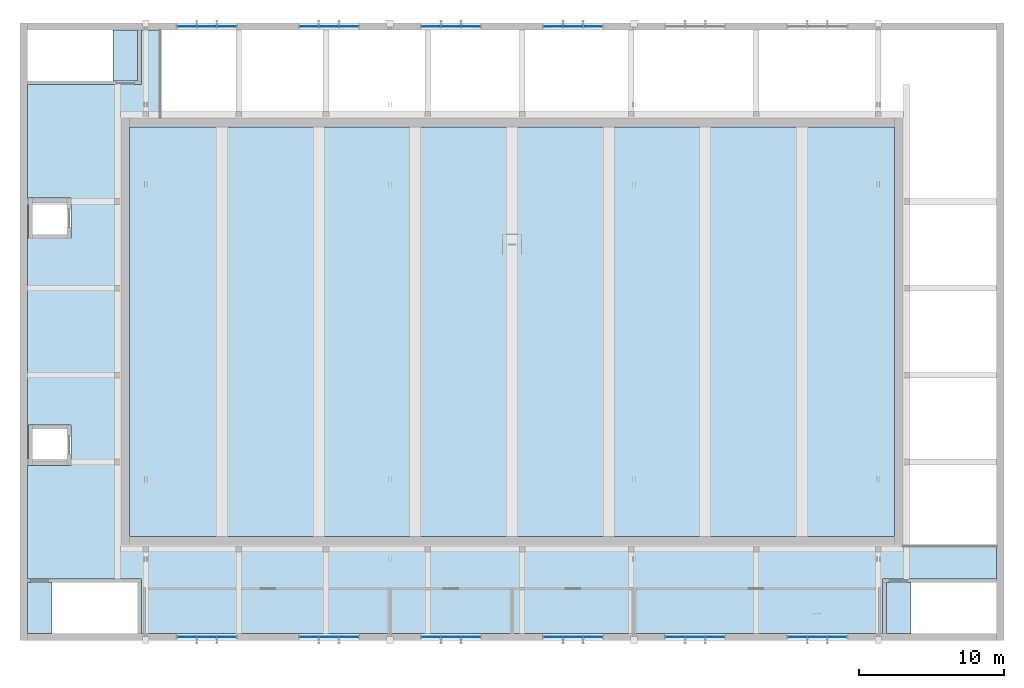
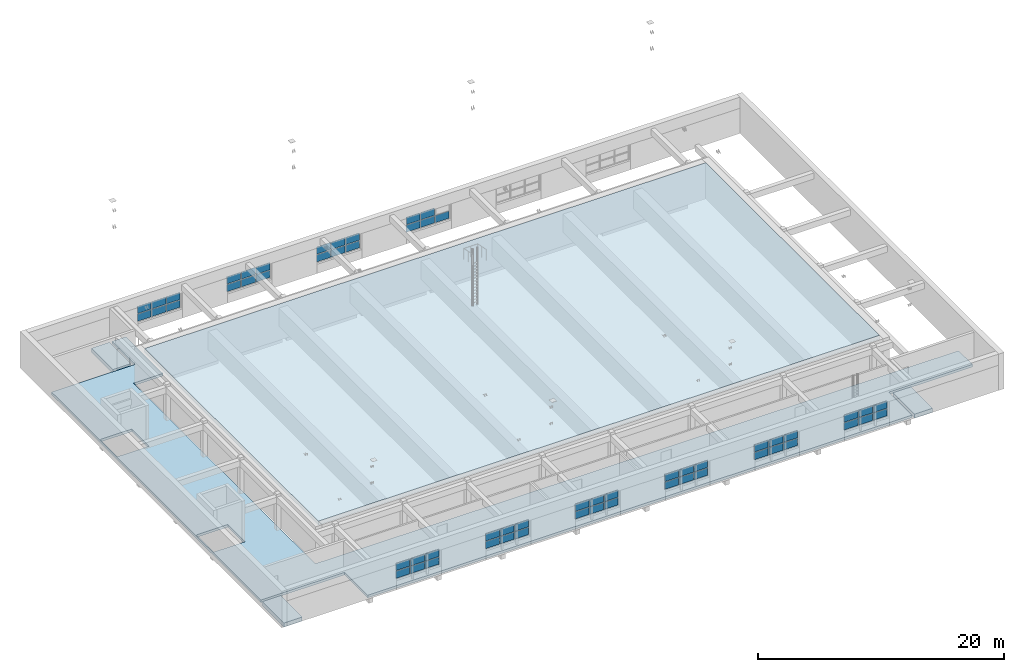
# One storey, part 9 of 28: 59 plates, 5 slabs, 10 elements without a shape of their own.
"""IFC4 building model written with IfcOpenShell, lengths in metres."""

from ifc_helpers import new_model, si_unit, direction, frame, origin, origin_2d, place, context, subcontext, project, spatial, polyline, rectangle, outline, extrude, material, layer, layer_set, type_object, element, aggregate, save


model = new_model("IFC4")

# Units and contexts
model_context = context("Model", 3, precision=1e-05, world=origin(), true_north=direction((0.0, 1.0)))
body_context = subcontext(model_context, "Body", "Model", "MODEL_VIEW")
ifc_project = project(units=[si_unit("LENGTHUNIT", "METRE"), si_unit("AREAUNIT", "SQUARE_METRE"), si_unit("VOLUMEUNIT", "CUBIC_METRE"), si_unit("PLANEANGLEUNIT", "RADIAN"), si_unit("MASSUNIT", "GRAM", prefix="KILO")], contexts=[model_context])

# Site, building, storey
site_placement = place(None, origin())
site = spatial("IfcSite", under=ifc_project, at=site_placement, CompositionType="ELEMENT")
building_placement = place(site_placement, origin())
building = spatial("IfcBuilding", under=site, at=building_placement, Name="Ljudholm Concert House", CompositionType="ELEMENT")
storey_placement = place(building_placement, frame((0.0, 0.0, 19.199951171875)))
storey = spatial("IfcBuildingStorey", under=building, at=storey_placement, Name="L04", CompositionType="ELEMENT", Elevation=19.199951171875)

# Curtain wall, plates
ifc_material_1 = material(Name="Aluminium curtain wall with impact-rated laminated glass", Category="aluminium")
curtain_wall_type = type_object("IfcCurtainWallType", Name="CURTAIN WALL 1400", PredefinedType="NOTDEFINED", material=ifc_material_1)
curtain_wall_1_placement = place(storey_placement, origin())
curtain_wall_1 = element("IfcCurtainWall", 1, at=curtain_wall_1_placement, inside=storey, type_object=curtain_wall_type, Name="Promenade curtain wall", PredefinedType="NOTDEFINED")
ifc_material_2 = material(Name="Impact-rated laminated glass", Category="glass")
ifc_layer_1 = layer(ifc_material_2, 0.028076171875)
ifc_layer_set_1 = layer_set([ifc_layer_1], Name="Impact-rated laminated glass")
plate_type = type_object("IfcPlateType", Name="CURTAIN PANEL 28", PredefinedType="CURTAIN_PANEL", material=ifc_layer_set_1)
plate_1_placement = place(storey_placement, frame((40.43505859375, 54.39990234375, 0.9599609375), z_axis=(0.0, 0.0, 1.0), x_axis=(1.0, 0.0, 0.0)))
plate_1 = element("IfcPlate", 2, at=plate_1_placement, type_object=plate_type, Name="Curtain wall panel", PredefinedType="CURTAIN_PANEL", context=body_context, shape_type="SweptSolid", body=[
    extrude(rectangle(XDim=1.2900390625, YDim=0.028076171875, at=origin_2d()), origin(), (0.0, 0.0, 1.0), 0.7099609375),
])
plate_2_placement = place(storey_placement, frame((40.43505859375, 54.39990234375, 1.72998046875), z_axis=(0.0, 0.0, 1.0), x_axis=(1.0, 0.0, 0.0)))
plate_2 = element("IfcPlate", 3, at=plate_2_placement, type_object=plate_type, Name="Curtain wall panel", PredefinedType="CURTAIN_PANEL", context=body_context, shape_type="SweptSolid", body=[
    extrude(rectangle(XDim=1.2900390625, YDim=0.028076171875, at=origin_2d()), origin(), (0.0, 0.0, 1.0), 0.7099609375),
])
plate_3_placement = place(storey_placement, frame((41.800048828125, 54.39990234375, 0.9599609375), z_axis=(0.0, 0.0, 1.0), x_axis=(1.0, 0.0, 0.0)))
plate_3 = element("IfcPlate", 4, at=plate_3_placement, type_object=plate_type, Name="Curtain wall panel", PredefinedType="CURTAIN_PANEL", context=body_context, shape_type="SweptSolid", body=[
    extrude(rectangle(XDim=1.320068359375, YDim=0.028076171875, at=origin_2d()), origin(), (0.0, 0.0, 1.0), 0.7099609375),
])
plate_4_placement = place(storey_placement, frame((41.800048828125, 54.39990234375, 1.72998046875), z_axis=(0.0, 0.0, 1.0), x_axis=(1.0, 0.0, 0.0)))
plate_4 = element("IfcPlate", 5, at=plate_4_placement, type_object=plate_type, Name="Curtain wall panel", PredefinedType="CURTAIN_PANEL", context=body_context, shape_type="SweptSolid", body=[
    extrude(rectangle(XDim=1.320068359375, YDim=0.028076171875, at=origin_2d()), origin(), (0.0, 0.0, 1.0), 0.7099609375),
])
plate_5_placement = place(storey_placement, frame((43.1650390625, 54.39990234375, 0.9599609375), z_axis=(0.0, 0.0, 1.0), x_axis=(1.0, 0.0, 0.0)))
plate_5 = element("IfcPlate", 6, at=plate_5_placement, type_object=plate_type, Name="Curtain wall panel", PredefinedType="CURTAIN_PANEL", context=body_context, shape_type="SweptSolid", body=[
    extrude(rectangle(XDim=1.2900390625, YDim=0.028076171875, at=origin_2d()), origin(), (0.0, 0.0, 1.0), 0.7099609375),
])
plate_6_placement = place(storey_placement, frame((43.1650390625, 54.39990234375, 1.72998046875), z_axis=(0.0, 0.0, 1.0), x_axis=(1.0, 0.0, 0.0)))
plate_6 = element("IfcPlate", 7, at=plate_6_placement, type_object=plate_type, Name="Curtain wall panel", PredefinedType="CURTAIN_PANEL", context=body_context, shape_type="SweptSolid", body=[
    extrude(rectangle(XDim=1.2900390625, YDim=0.028076171875, at=origin_2d()), origin(), (0.0, 0.0, 1.0), 0.7099609375),
])
aggregate(curtain_wall_1, [plate_1, plate_2, plate_3, plate_4, plate_5, plate_6])

curtain_wall_2_placement = place(storey_placement, origin())
curtain_wall_2 = element("IfcCurtainWall", 8, at=curtain_wall_2_placement, inside=storey, type_object=curtain_wall_type, Name="Promenade curtain wall", PredefinedType="NOTDEFINED")
plate_7_placement = place(storey_placement, frame((48.8349609375, 54.39990234375, 0.9599609375), z_axis=(0.0, 0.0, 1.0), x_axis=(1.0, 0.0, 0.0)))
plate_7 = element("IfcPlate", 9, at=plate_7_placement, type_object=plate_type, Name="Curtain wall panel", PredefinedType="CURTAIN_PANEL", context=body_context, shape_type="SweptSolid", body=[
    extrude(rectangle(XDim=1.2900390625, YDim=0.028076171875, at=origin_2d()), origin(), (0.0, 0.0, 1.0), 0.7099609375),
])
plate_8_placement = place(storey_placement, frame((48.8349609375, 54.39990234375, 1.72998046875), z_axis=(0.0, 0.0, 1.0), x_axis=(1.0, 0.0, 0.0)))
plate_8 = element("IfcPlate", 10, at=plate_8_placement, type_object=plate_type, Name="Curtain wall panel", PredefinedType="CURTAIN_PANEL", context=body_context, shape_type="SweptSolid", body=[
    extrude(rectangle(XDim=1.2900390625, YDim=0.028076171875, at=origin_2d()), origin(), (0.0, 0.0, 1.0), 0.7099609375),
])
plate_9_placement = place(storey_placement, frame((50.199951171875, 54.39990234375, 0.9599609375), z_axis=(0.0, 0.0, 1.0), x_axis=(1.0, 0.0, 0.0)))
plate_9 = element("IfcPlate", 11, at=plate_9_placement, type_object=plate_type, Name="Curtain wall panel", PredefinedType="CURTAIN_PANEL", context=body_context, shape_type="SweptSolid", body=[
    extrude(rectangle(XDim=1.320068359375, YDim=0.028076171875, at=origin_2d()), origin(), (0.0, 0.0, 1.0), 0.7099609375),
])
plate_10_placement = place(storey_placement, frame((50.199951171875, 54.39990234375, 1.72998046875), z_axis=(0.0, 0.0, 1.0), x_axis=(1.0, 0.0, 0.0)))
plate_10 = element("IfcPlate", 12, at=plate_10_placement, type_object=plate_type, Name="Curtain wall panel", PredefinedType="CURTAIN_PANEL", context=body_context, shape_type="SweptSolid", body=[
    extrude(rectangle(XDim=1.320068359375, YDim=0.028076171875, at=origin_2d()), origin(), (0.0, 0.0, 1.0), 0.7099609375),
])
plate_11_placement = place(storey_placement, frame((51.56494140625, 54.39990234375, 0.9599609375), z_axis=(0.0, 0.0, 1.0), x_axis=(1.0, 0.0, 0.0)))
plate_11 = element("IfcPlate", 13, at=plate_11_placement, type_object=plate_type, Name="Curtain wall panel", PredefinedType="CURTAIN_PANEL", context=body_context, shape_type="SweptSolid", body=[
    extrude(rectangle(XDim=1.2900390625, YDim=0.028076171875, at=origin_2d()), origin(), (0.0, 0.0, 1.0), 0.7099609375),
])
plate_12_placement = place(storey_placement, frame((51.56494140625, 54.39990234375, 1.72998046875), z_axis=(0.0, 0.0, 1.0), x_axis=(1.0, 0.0, 0.0)))
plate_12 = element("IfcPlate", 14, at=plate_12_placement, type_object=plate_type, Name="Curtain wall panel", PredefinedType="CURTAIN_PANEL", context=body_context, shape_type="SweptSolid", body=[
    extrude(rectangle(XDim=1.2900390625, YDim=0.028076171875, at=origin_2d()), origin(), (0.0, 0.0, 1.0), 0.7099609375),
])
aggregate(curtain_wall_2, [plate_7, plate_8, plate_9, plate_10, plate_11, plate_12])

curtain_wall_3_placement = place(storey_placement, origin())
curtain_wall_3 = element("IfcCurtainWall", 15, at=curtain_wall_3_placement, inside=storey, type_object=curtain_wall_type, Name="Promenade curtain wall", PredefinedType="NOTDEFINED")
plate_13_placement = place(storey_placement, frame((57.235107421875, 54.39990234375, 0.9599609375), z_axis=(0.0, 0.0, 1.0), x_axis=(1.0, 0.0, 0.0)))
plate_13 = element("IfcPlate", 16, at=plate_13_placement, type_object=plate_type, Name="Curtain wall panel", PredefinedType="CURTAIN_PANEL", context=body_context, shape_type="SweptSolid", body=[
    extrude(rectangle(XDim=1.2900390625, YDim=0.028076171875, at=origin_2d()), origin(), (0.0, 0.0, 1.0), 0.7099609375),
])
plate_14_placement = place(storey_placement, frame((57.235107421875, 54.39990234375, 1.72998046875), z_axis=(0.0, 0.0, 1.0), x_axis=(1.0, 0.0, 0.0)))
plate_14 = element("IfcPlate", 17, at=plate_14_placement, type_object=plate_type, Name="Curtain wall panel", PredefinedType="CURTAIN_PANEL", context=body_context, shape_type="SweptSolid", body=[
    extrude(rectangle(XDim=1.2900390625, YDim=0.028076171875, at=origin_2d()), origin(), (0.0, 0.0, 1.0), 0.7099609375),
])
plate_15_placement = place(storey_placement, frame((58.60009765625, 54.39990234375, 0.9599609375), z_axis=(0.0, 0.0, 1.0), x_axis=(1.0, 0.0, 0.0)))
plate_15 = element("IfcPlate", 18, at=plate_15_placement, type_object=plate_type, Name="Curtain wall panel", PredefinedType="CURTAIN_PANEL", context=body_context, shape_type="SweptSolid", body=[
    extrude(rectangle(XDim=1.320068359375, YDim=0.028076171875, at=origin_2d()), origin(), (0.0, 0.0, 1.0), 0.7099609375),
])
plate_16_placement = place(storey_placement, frame((58.60009765625, 54.39990234375, 1.72998046875), z_axis=(0.0, 0.0, 1.0), x_axis=(1.0, 0.0, 0.0)))
plate_16 = element("IfcPlate", 19, at=plate_16_placement, type_object=plate_type, Name="Curtain wall panel", PredefinedType="CURTAIN_PANEL", context=body_context, shape_type="SweptSolid", body=[
    extrude(rectangle(XDim=1.320068359375, YDim=0.028076171875, at=origin_2d()), origin(), (0.0, 0.0, 1.0), 0.7099609375),
])
plate_17_placement = place(storey_placement, frame((59.965087890625, 54.39990234375, 0.9599609375), z_axis=(0.0, 0.0, 1.0), x_axis=(1.0, 0.0, 0.0)))
plate_17 = element("IfcPlate", 20, at=plate_17_placement, type_object=plate_type, Name="Curtain wall panel", PredefinedType="CURTAIN_PANEL", context=body_context, shape_type="SweptSolid", body=[
    extrude(rectangle(XDim=1.2900390625, YDim=0.028076171875, at=origin_2d()), origin(), (0.0, 0.0, 1.0), 0.7099609375),
])
plate_18_placement = place(storey_placement, frame((59.965087890625, 54.39990234375, 1.72998046875), z_axis=(0.0, 0.0, 1.0), x_axis=(1.0, 0.0, 0.0)))
plate_18 = element("IfcPlate", 21, at=plate_18_placement, type_object=plate_type, Name="Curtain wall panel", PredefinedType="CURTAIN_PANEL", context=body_context, shape_type="SweptSolid", body=[
    extrude(rectangle(XDim=1.2900390625, YDim=0.028076171875, at=origin_2d()), origin(), (0.0, 0.0, 1.0), 0.7099609375),
])
aggregate(curtain_wall_3, [plate_13, plate_14, plate_15, plate_16, plate_17, plate_18])

curtain_wall_4_placement = place(storey_placement, origin())
curtain_wall_4 = element("IfcCurtainWall", 22, at=curtain_wall_4_placement, inside=storey, type_object=curtain_wall_type, Name="Promenade curtain wall", PredefinedType="NOTDEFINED")
plate_19_placement = place(storey_placement, frame((65.635009765625, 54.39990234375, 0.9599609375), z_axis=(0.0, 0.0, 1.0), x_axis=(1.0, 0.0, 0.0)))
plate_19 = element("IfcPlate", 23, at=plate_19_placement, type_object=plate_type, Name="Curtain wall panel", PredefinedType="CURTAIN_PANEL", context=body_context, shape_type="SweptSolid", body=[
    extrude(rectangle(XDim=1.2900390625, YDim=0.028076171875, at=origin_2d()), origin(), (0.0, 0.0, 1.0), 0.7099609375),
])
plate_20_placement = place(storey_placement, frame((65.635009765625, 54.39990234375, 1.72998046875), z_axis=(0.0, 0.0, 1.0), x_axis=(1.0, 0.0, 0.0)))
plate_20 = element("IfcPlate", 24, at=plate_20_placement, type_object=plate_type, Name="Curtain wall panel", PredefinedType="CURTAIN_PANEL", context=body_context, shape_type="SweptSolid", body=[
    extrude(rectangle(XDim=1.2900390625, YDim=0.028076171875, at=origin_2d()), origin(), (0.0, 0.0, 1.0), 0.7099609375),
])
plate_21_placement = place(storey_placement, frame((67.0, 54.39990234375, 0.9599609375), z_axis=(0.0, 0.0, 1.0), x_axis=(1.0, 0.0, 0.0)))
plate_21 = element("IfcPlate", 25, at=plate_21_placement, type_object=plate_type, Name="Curtain wall panel", PredefinedType="CURTAIN_PANEL", context=body_context, shape_type="SweptSolid", body=[
    extrude(rectangle(XDim=1.320068359375, YDim=0.028076171875, at=origin_2d()), origin(), (0.0, 0.0, 1.0), 0.7099609375),
])
plate_22_placement = place(storey_placement, frame((67.0, 54.39990234375, 1.72998046875), z_axis=(0.0, 0.0, 1.0), x_axis=(1.0, 0.0, 0.0)))
plate_22 = element("IfcPlate", 26, at=plate_22_placement, type_object=plate_type, Name="Curtain wall panel", PredefinedType="CURTAIN_PANEL", context=body_context, shape_type="SweptSolid", body=[
    extrude(rectangle(XDim=1.320068359375, YDim=0.028076171875, at=origin_2d()), origin(), (0.0, 0.0, 1.0), 0.7099609375),
])
plate_23_placement = place(storey_placement, frame((68.364990234375, 54.39990234375, 0.9599609375), z_axis=(0.0, 0.0, 1.0), x_axis=(1.0, 0.0, 0.0)))
plate_23 = element("IfcPlate", 27, at=plate_23_placement, type_object=plate_type, Name="Curtain wall panel", PredefinedType="CURTAIN_PANEL", context=body_context, shape_type="SweptSolid", body=[
    extrude(rectangle(XDim=1.2900390625, YDim=0.028076171875, at=origin_2d()), origin(), (0.0, 0.0, 1.0), 0.7099609375),
])
plate_24_placement = place(storey_placement, frame((68.364990234375, 54.39990234375, 1.72998046875), z_axis=(0.0, 0.0, 1.0), x_axis=(1.0, 0.0, 0.0)))
plate_24 = element("IfcPlate", 28, at=plate_24_placement, type_object=plate_type, Name="Curtain wall panel", PredefinedType="CURTAIN_PANEL", context=body_context, shape_type="SweptSolid", body=[
    extrude(rectangle(XDim=1.2900390625, YDim=0.028076171875, at=origin_2d()), origin(), (0.0, 0.0, 1.0), 0.7099609375),
])
aggregate(curtain_wall_4, [plate_19, plate_20, plate_21, plate_22, plate_23, plate_24])

curtain_wall_5_placement = place(storey_placement, origin())
curtain_wall_5 = element("IfcCurtainWall", 29, at=curtain_wall_5_placement, inside=storey, type_object=curtain_wall_type, Name="Promenade curtain wall", PredefinedType="NOTDEFINED")
plate_25_placement = place(storey_placement, frame((74.034912109375, 54.39990234375, 0.9599609375), z_axis=(0.0, 0.0, 1.0), x_axis=(1.0, 0.0, 0.0)))
plate_25 = element("IfcPlate", 30, at=plate_25_placement, type_object=plate_type, Name="Curtain wall panel", PredefinedType="CURTAIN_PANEL", context=body_context, shape_type="SweptSolid", body=[
    extrude(rectangle(XDim=1.2900390625, YDim=0.028076171875, at=origin_2d()), origin(), (0.0, 0.0, 1.0), 0.7099609375),
])
plate_26_placement = place(storey_placement, frame((74.034912109375, 54.39990234375, 1.72998046875), z_axis=(0.0, 0.0, 1.0), x_axis=(1.0, 0.0, 0.0)))
plate_26 = element("IfcPlate", 31, at=plate_26_placement, type_object=plate_type, Name="Curtain wall panel", PredefinedType="CURTAIN_PANEL", context=body_context, shape_type="SweptSolid", body=[
    extrude(rectangle(XDim=1.2900390625, YDim=0.028076171875, at=origin_2d()), origin(), (0.0, 0.0, 1.0), 0.7099609375),
])
plate_27_placement = place(storey_placement, frame((75.39990234375, 54.39990234375, 0.9599609375), z_axis=(0.0, 0.0, 1.0), x_axis=(1.0, 0.0, 0.0)))
plate_27 = element("IfcPlate", 32, at=plate_27_placement, type_object=plate_type, Name="Curtain wall panel", PredefinedType="CURTAIN_PANEL", context=body_context, shape_type="SweptSolid", body=[
    extrude(rectangle(XDim=1.320068359375, YDim=0.028076171875, at=origin_2d()), origin(), (0.0, 0.0, 1.0), 0.7099609375),
])
plate_28_placement = place(storey_placement, frame((75.39990234375, 54.39990234375, 1.72998046875), z_axis=(0.0, 0.0, 1.0), x_axis=(1.0, 0.0, 0.0)))
plate_28 = element("IfcPlate", 33, at=plate_28_placement, type_object=plate_type, Name="Curtain wall panel", PredefinedType="CURTAIN_PANEL", context=body_context, shape_type="SweptSolid", body=[
    extrude(rectangle(XDim=1.320068359375, YDim=0.028076171875, at=origin_2d()), origin(), (0.0, 0.0, 1.0), 0.7099609375),
])
plate_29_placement = place(storey_placement, frame((76.764892578125, 54.39990234375, 0.9599609375), z_axis=(0.0, 0.0, 1.0), x_axis=(1.0, 0.0, 0.0)))
plate_29 = element("IfcPlate", 34, at=plate_29_placement, type_object=plate_type, Name="Curtain wall panel", PredefinedType="CURTAIN_PANEL", context=body_context, shape_type="SweptSolid", body=[
    extrude(rectangle(XDim=1.2900390625, YDim=0.028076171875, at=origin_2d()), origin(), (0.0, 0.0, 1.0), 0.7099609375),
])
plate_30_placement = place(storey_placement, frame((76.764892578125, 54.39990234375, 1.72998046875), z_axis=(0.0, 0.0, 1.0), x_axis=(1.0, 0.0, 0.0)))
plate_30 = element("IfcPlate", 35, at=plate_30_placement, type_object=plate_type, Name="Curtain wall panel", PredefinedType="CURTAIN_PANEL", context=body_context, shape_type="SweptSolid", body=[
    extrude(rectangle(XDim=1.2900390625, YDim=0.028076171875, at=origin_2d()), origin(), (0.0, 0.0, 1.0), 0.7099609375),
])
aggregate(curtain_wall_5, [plate_25, plate_26, plate_27, plate_28, plate_29, plate_30])

curtain_wall_6_placement = place(storey_placement, origin())
curtain_wall_6 = element("IfcCurtainWall", 36, at=curtain_wall_6_placement, inside=storey, type_object=curtain_wall_type, Name="Promenade curtain wall", PredefinedType="NOTDEFINED")
plate_31_placement = place(storey_placement, frame((82.43505859375, 54.39990234375, 0.9599609375), z_axis=(0.0, 0.0, 1.0), x_axis=(1.0, 0.0, 0.0)))
plate_31 = element("IfcPlate", 37, at=plate_31_placement, type_object=plate_type, Name="Curtain wall panel", PredefinedType="CURTAIN_PANEL", context=body_context, shape_type="SweptSolid", body=[
    extrude(rectangle(XDim=1.2900390625, YDim=0.028076171875, at=origin_2d()), origin(), (0.0, 0.0, 1.0), 0.7099609375),
])
plate_32_placement = place(storey_placement, frame((82.43505859375, 54.39990234375, 1.72998046875), z_axis=(0.0, 0.0, 1.0), x_axis=(1.0, 0.0, 0.0)))
plate_32 = element("IfcPlate", 38, at=plate_32_placement, type_object=plate_type, Name="Curtain wall panel", PredefinedType="CURTAIN_PANEL", context=body_context, shape_type="SweptSolid", body=[
    extrude(rectangle(XDim=1.2900390625, YDim=0.028076171875, at=origin_2d()), origin(), (0.0, 0.0, 1.0), 0.7099609375),
])
plate_33_placement = place(storey_placement, frame((83.800048828125, 54.39990234375, 0.9599609375), z_axis=(0.0, 0.0, 1.0), x_axis=(1.0, 0.0, 0.0)))
plate_33 = element("IfcPlate", 39, at=plate_33_placement, type_object=plate_type, Name="Curtain wall panel", PredefinedType="CURTAIN_PANEL", context=body_context, shape_type="SweptSolid", body=[
    extrude(rectangle(XDim=1.320068359375, YDim=0.028076171875, at=origin_2d()), origin(), (0.0, 0.0, 1.0), 0.7099609375),
])
plate_34_placement = place(storey_placement, frame((83.800048828125, 54.39990234375, 1.72998046875), z_axis=(0.0, 0.0, 1.0), x_axis=(1.0, 0.0, 0.0)))
plate_34 = element("IfcPlate", 40, at=plate_34_placement, type_object=plate_type, Name="Curtain wall panel", PredefinedType="CURTAIN_PANEL", context=body_context, shape_type="SweptSolid", body=[
    extrude(rectangle(XDim=1.320068359375, YDim=0.028076171875, at=origin_2d()), origin(), (0.0, 0.0, 1.0), 0.7099609375),
])
plate_35_placement = place(storey_placement, frame((85.1650390625, 54.39990234375, 0.9599609375), z_axis=(0.0, 0.0, 1.0), x_axis=(1.0, 0.0, 0.0)))
plate_35 = element("IfcPlate", 41, at=plate_35_placement, type_object=plate_type, Name="Curtain wall panel", PredefinedType="CURTAIN_PANEL", context=body_context, shape_type="SweptSolid", body=[
    extrude(rectangle(XDim=1.2900390625, YDim=0.028076171875, at=origin_2d()), origin(), (0.0, 0.0, 1.0), 0.7099609375),
])
plate_36_placement = place(storey_placement, frame((85.1650390625, 54.39990234375, 1.72998046875), z_axis=(0.0, 0.0, 1.0), x_axis=(1.0, 0.0, 0.0)))
plate_36 = element("IfcPlate", 42, at=plate_36_placement, type_object=plate_type, Name="Curtain wall panel", PredefinedType="CURTAIN_PANEL", context=body_context, shape_type="SweptSolid", body=[
    extrude(rectangle(XDim=1.2900390625, YDim=0.028076171875, at=origin_2d()), origin(), (0.0, 0.0, 1.0), 0.7099609375),
])
aggregate(curtain_wall_6, [plate_31, plate_32, plate_33, plate_34, plate_35, plate_36])

curtain_wall_7_placement = place(storey_placement, origin())
curtain_wall_7 = element("IfcCurtainWall", 43, at=curtain_wall_7_placement, inside=storey, type_object=curtain_wall_type, Name="Promenade curtain wall", PredefinedType="NOTDEFINED")
plate_37_placement = place(storey_placement, frame((40.43505859375, 96.39990234375, 0.9599609375), z_axis=(0.0, 0.0, 1.0), x_axis=(1.0, 0.0, 0.0)))
plate_37 = element("IfcPlate", 44, at=plate_37_placement, type_object=plate_type, Name="Curtain wall panel", PredefinedType="CURTAIN_PANEL", context=body_context, shape_type="SweptSolid", body=[
    extrude(rectangle(XDim=1.2900390625, YDim=0.028076171875, at=origin_2d()), origin(), (0.0, 0.0, 1.0), 0.7099609375),
])
plate_38_placement = place(storey_placement, frame((40.43505859375, 96.39990234375, 1.72998046875), z_axis=(0.0, 0.0, 1.0), x_axis=(1.0, 0.0, 0.0)))
plate_38 = element("IfcPlate", 45, at=plate_38_placement, type_object=plate_type, Name="Curtain wall panel", PredefinedType="CURTAIN_PANEL", context=body_context, shape_type="SweptSolid", body=[
    extrude(rectangle(XDim=1.2900390625, YDim=0.028076171875, at=origin_2d()), origin(), (0.0, 0.0, 1.0), 0.7099609375),
])
plate_39_placement = place(storey_placement, frame((41.800048828125, 96.39990234375, 0.9599609375), z_axis=(0.0, 0.0, 1.0), x_axis=(1.0, 0.0, 0.0)))
plate_39 = element("IfcPlate", 46, at=plate_39_placement, type_object=plate_type, Name="Curtain wall panel", PredefinedType="CURTAIN_PANEL", context=body_context, shape_type="SweptSolid", body=[
    extrude(rectangle(XDim=1.320068359375, YDim=0.028076171875, at=origin_2d()), origin(), (0.0, 0.0, 1.0), 0.7099609375),
])
plate_40_placement = place(storey_placement, frame((41.800048828125, 96.39990234375, 1.72998046875), z_axis=(0.0, 0.0, 1.0), x_axis=(1.0, 0.0, 0.0)))
plate_40 = element("IfcPlate", 47, at=plate_40_placement, type_object=plate_type, Name="Curtain wall panel", PredefinedType="CURTAIN_PANEL", context=body_context, shape_type="SweptSolid", body=[
    extrude(rectangle(XDim=1.320068359375, YDim=0.028076171875, at=origin_2d()), origin(), (0.0, 0.0, 1.0), 0.7099609375),
])
plate_41_placement = place(storey_placement, frame((43.1650390625, 96.39990234375, 0.9599609375), z_axis=(0.0, 0.0, 1.0), x_axis=(1.0, 0.0, 0.0)))
plate_41 = element("IfcPlate", 48, at=plate_41_placement, type_object=plate_type, Name="Curtain wall panel", PredefinedType="CURTAIN_PANEL", context=body_context, shape_type="SweptSolid", body=[
    extrude(rectangle(XDim=1.2900390625, YDim=0.028076171875, at=origin_2d()), origin(), (0.0, 0.0, 1.0), 0.7099609375),
])
plate_42_placement = place(storey_placement, frame((43.1650390625, 96.39990234375, 1.72998046875), z_axis=(0.0, 0.0, 1.0), x_axis=(1.0, 0.0, 0.0)))
plate_42 = element("IfcPlate", 49, at=plate_42_placement, type_object=plate_type, Name="Curtain wall panel", PredefinedType="CURTAIN_PANEL", context=body_context, shape_type="SweptSolid", body=[
    extrude(rectangle(XDim=1.2900390625, YDim=0.028076171875, at=origin_2d()), origin(), (0.0, 0.0, 1.0), 0.7099609375),
])
aggregate(curtain_wall_7, [plate_37, plate_38, plate_39, plate_40, plate_41, plate_42])

curtain_wall_8_placement = place(storey_placement, origin())
curtain_wall_8 = element("IfcCurtainWall", 50, at=curtain_wall_8_placement, inside=storey, type_object=curtain_wall_type, Name="Promenade curtain wall", PredefinedType="NOTDEFINED")
plate_43_placement = place(storey_placement, frame((48.8349609375, 96.39990234375, 0.9599609375), z_axis=(0.0, 0.0, 1.0), x_axis=(1.0, 0.0, 0.0)))
plate_43 = element("IfcPlate", 51, at=plate_43_placement, type_object=plate_type, Name="Curtain wall panel", PredefinedType="CURTAIN_PANEL", context=body_context, shape_type="SweptSolid", body=[
    extrude(rectangle(XDim=1.2900390625, YDim=0.028076171875, at=origin_2d()), origin(), (0.0, 0.0, 1.0), 0.7099609375),
])
plate_44_placement = place(storey_placement, frame((48.8349609375, 96.39990234375, 1.72998046875), z_axis=(0.0, 0.0, 1.0), x_axis=(1.0, 0.0, 0.0)))
plate_44 = element("IfcPlate", 52, at=plate_44_placement, type_object=plate_type, Name="Curtain wall panel", PredefinedType="CURTAIN_PANEL", context=body_context, shape_type="SweptSolid", body=[
    extrude(rectangle(XDim=1.2900390625, YDim=0.028076171875, at=origin_2d()), origin(), (0.0, 0.0, 1.0), 0.7099609375),
])
plate_45_placement = place(storey_placement, frame((50.199951171875, 96.39990234375, 0.9599609375), z_axis=(0.0, 0.0, 1.0), x_axis=(1.0, 0.0, 0.0)))
plate_45 = element("IfcPlate", 53, at=plate_45_placement, type_object=plate_type, Name="Curtain wall panel", PredefinedType="CURTAIN_PANEL", context=body_context, shape_type="SweptSolid", body=[
    extrude(rectangle(XDim=1.320068359375, YDim=0.028076171875, at=origin_2d()), origin(), (0.0, 0.0, 1.0), 0.7099609375),
])
plate_46_placement = place(storey_placement, frame((50.199951171875, 96.39990234375, 1.72998046875), z_axis=(0.0, 0.0, 1.0), x_axis=(1.0, 0.0, 0.0)))
plate_46 = element("IfcPlate", 54, at=plate_46_placement, type_object=plate_type, Name="Curtain wall panel", PredefinedType="CURTAIN_PANEL", context=body_context, shape_type="SweptSolid", body=[
    extrude(rectangle(XDim=1.320068359375, YDim=0.028076171875, at=origin_2d()), origin(), (0.0, 0.0, 1.0), 0.7099609375),
])
plate_47_placement = place(storey_placement, frame((51.56494140625, 96.39990234375, 0.9599609375), z_axis=(0.0, 0.0, 1.0), x_axis=(1.0, 0.0, 0.0)))
plate_47 = element("IfcPlate", 55, at=plate_47_placement, type_object=plate_type, Name="Curtain wall panel", PredefinedType="CURTAIN_PANEL", context=body_context, shape_type="SweptSolid", body=[
    extrude(rectangle(XDim=1.2900390625, YDim=0.028076171875, at=origin_2d()), origin(), (0.0, 0.0, 1.0), 0.7099609375),
])
plate_48_placement = place(storey_placement, frame((51.56494140625, 96.39990234375, 1.72998046875), z_axis=(0.0, 0.0, 1.0), x_axis=(1.0, 0.0, 0.0)))
plate_48 = element("IfcPlate", 56, at=plate_48_placement, type_object=plate_type, Name="Curtain wall panel", PredefinedType="CURTAIN_PANEL", context=body_context, shape_type="SweptSolid", body=[
    extrude(rectangle(XDim=1.2900390625, YDim=0.028076171875, at=origin_2d()), origin(), (0.0, 0.0, 1.0), 0.7099609375),
])
aggregate(curtain_wall_8, [plate_43, plate_44, plate_45, plate_46, plate_47, plate_48])

curtain_wall_9_placement = place(storey_placement, origin())
curtain_wall_9 = element("IfcCurtainWall", 57, at=curtain_wall_9_placement, inside=storey, type_object=curtain_wall_type, Name="Promenade curtain wall", PredefinedType="NOTDEFINED")
plate_49_placement = place(storey_placement, frame((57.235107421875, 96.39990234375, 0.9599609375), z_axis=(0.0, 0.0, 1.0), x_axis=(1.0, 0.0, 0.0)))
plate_49 = element("IfcPlate", 58, at=plate_49_placement, type_object=plate_type, Name="Curtain wall panel", PredefinedType="CURTAIN_PANEL", context=body_context, shape_type="SweptSolid", body=[
    extrude(rectangle(XDim=1.2900390625, YDim=0.028076171875, at=origin_2d()), origin(), (0.0, 0.0, 1.0), 0.7099609375),
])
plate_50_placement = place(storey_placement, frame((57.235107421875, 96.39990234375, 1.72998046875), z_axis=(0.0, 0.0, 1.0), x_axis=(1.0, 0.0, 0.0)))
plate_50 = element("IfcPlate", 59, at=plate_50_placement, type_object=plate_type, Name="Curtain wall panel", PredefinedType="CURTAIN_PANEL", context=body_context, shape_type="SweptSolid", body=[
    extrude(rectangle(XDim=1.2900390625, YDim=0.028076171875, at=origin_2d()), origin(), (0.0, 0.0, 1.0), 0.7099609375),
])
plate_51_placement = place(storey_placement, frame((58.60009765625, 96.39990234375, 0.9599609375), z_axis=(0.0, 0.0, 1.0), x_axis=(1.0, 0.0, 0.0)))
plate_51 = element("IfcPlate", 60, at=plate_51_placement, type_object=plate_type, Name="Curtain wall panel", PredefinedType="CURTAIN_PANEL", context=body_context, shape_type="SweptSolid", body=[
    extrude(rectangle(XDim=1.320068359375, YDim=0.028076171875, at=origin_2d()), origin(), (0.0, 0.0, 1.0), 0.7099609375),
])
plate_52_placement = place(storey_placement, frame((58.60009765625, 96.39990234375, 1.72998046875), z_axis=(0.0, 0.0, 1.0), x_axis=(1.0, 0.0, 0.0)))
plate_52 = element("IfcPlate", 61, at=plate_52_placement, type_object=plate_type, Name="Curtain wall panel", PredefinedType="CURTAIN_PANEL", context=body_context, shape_type="SweptSolid", body=[
    extrude(rectangle(XDim=1.320068359375, YDim=0.028076171875, at=origin_2d()), origin(), (0.0, 0.0, 1.0), 0.7099609375),
])
plate_53_placement = place(storey_placement, frame((59.965087890625, 96.39990234375, 0.9599609375), z_axis=(0.0, 0.0, 1.0), x_axis=(1.0, 0.0, 0.0)))
plate_53 = element("IfcPlate", 62, at=plate_53_placement, type_object=plate_type, Name="Curtain wall panel", PredefinedType="CURTAIN_PANEL", context=body_context, shape_type="SweptSolid", body=[
    extrude(rectangle(XDim=1.2900390625, YDim=0.028076171875, at=origin_2d()), origin(), (0.0, 0.0, 1.0), 0.7099609375),
])
plate_54_placement = place(storey_placement, frame((59.965087890625, 96.39990234375, 1.72998046875), z_axis=(0.0, 0.0, 1.0), x_axis=(1.0, 0.0, 0.0)))
plate_54 = element("IfcPlate", 63, at=plate_54_placement, type_object=plate_type, Name="Curtain wall panel", PredefinedType="CURTAIN_PANEL", context=body_context, shape_type="SweptSolid", body=[
    extrude(rectangle(XDim=1.2900390625, YDim=0.028076171875, at=origin_2d()), origin(), (0.0, 0.0, 1.0), 0.7099609375),
])
aggregate(curtain_wall_9, [plate_49, plate_50, plate_51, plate_52, plate_53, plate_54])

curtain_wall_10_placement = place(storey_placement, origin())
curtain_wall_10 = element("IfcCurtainWall", 64, at=curtain_wall_10_placement, inside=storey, type_object=curtain_wall_type, Name="Promenade curtain wall", PredefinedType="NOTDEFINED")
plate_55_placement = place(storey_placement, frame((65.635009765625, 96.39990234375, 0.9599609375), z_axis=(0.0, 0.0, 1.0), x_axis=(1.0, 0.0, 0.0)))
plate_55 = element("IfcPlate", 65, at=plate_55_placement, type_object=plate_type, Name="Curtain wall panel", PredefinedType="CURTAIN_PANEL", context=body_context, shape_type="SweptSolid", body=[
    extrude(rectangle(XDim=1.2900390625, YDim=0.028076171875, at=origin_2d()), origin(), (0.0, 0.0, 1.0), 0.7099609375),
])
plate_56_placement = place(storey_placement, frame((65.635009765625, 96.39990234375, 1.72998046875), z_axis=(0.0, 0.0, 1.0), x_axis=(1.0, 0.0, 0.0)))
plate_56 = element("IfcPlate", 66, at=plate_56_placement, type_object=plate_type, Name="Curtain wall panel", PredefinedType="CURTAIN_PANEL", context=body_context, shape_type="SweptSolid", body=[
    extrude(rectangle(XDim=1.2900390625, YDim=0.028076171875, at=origin_2d()), origin(), (0.0, 0.0, 1.0), 0.7099609375),
])
plate_57_placement = place(storey_placement, frame((67.0, 96.39990234375, 0.9599609375), z_axis=(0.0, 0.0, 1.0), x_axis=(1.0, 0.0, 0.0)))
plate_57 = element("IfcPlate", 67, at=plate_57_placement, type_object=plate_type, Name="Curtain wall panel", PredefinedType="CURTAIN_PANEL", context=body_context, shape_type="SweptSolid", body=[
    extrude(rectangle(XDim=1.320068359375, YDim=0.028076171875, at=origin_2d()), origin(), (0.0, 0.0, 1.0), 0.7099609375),
])
plate_58_placement = place(storey_placement, frame((67.0, 96.39990234375, 1.72998046875), z_axis=(0.0, 0.0, 1.0), x_axis=(1.0, 0.0, 0.0)))
plate_58 = element("IfcPlate", 68, at=plate_58_placement, type_object=plate_type, Name="Curtain wall panel", PredefinedType="CURTAIN_PANEL", context=body_context, shape_type="SweptSolid", body=[
    extrude(rectangle(XDim=1.320068359375, YDim=0.028076171875, at=origin_2d()), origin(), (0.0, 0.0, 1.0), 0.7099609375),
])
plate_59_placement = place(storey_placement, frame((68.364990234375, 96.39990234375, 0.9599609375), z_axis=(0.0, 0.0, 1.0), x_axis=(1.0, 0.0, 0.0)))
plate_59 = element("IfcPlate", 69, at=plate_59_placement, type_object=plate_type, Name="Curtain wall panel", PredefinedType="CURTAIN_PANEL", context=body_context, shape_type="SweptSolid", body=[
    extrude(rectangle(XDim=1.2900390625, YDim=0.028076171875, at=origin_2d()), origin(), (0.0, 0.0, 1.0), 0.7099609375),
])
aggregate(curtain_wall_10, [plate_55, plate_56, plate_57, plate_58, plate_59])

# Slabs
ifc_material_3 = material(Name="Concrete 5,000 psi", Category="concrete")
ifc_layer_2 = layer(ifc_material_3, 0.25)
ifc_layer_set_2 = layer_set([ifc_layer_2], Name="Concrete 5,000 psi")
slab_type_1 = type_object("IfcSlabType", Name="RC FLOOR SLAB 250", PredefinedType="FLOOR", material=ifc_layer_set_2)
slab_1_placement = place(storey_placement, frame((0.0, 0.0, -0.25)))
element("IfcSlab", 70, at=slab_1_placement, inside=storey, type_object=slab_type_1, Name="Ring floor", PredefinedType="FLOOR", context=body_context, shape_type="SweptSolid", body=[
    extrude(outline(polyline([(96.14990234375, 58.39990234375), (88.300048828125, 58.39990234375), (88.300048828125, 54.64990234375), (37.300048828125, 54.64990234375), (37.300048828125, 58.39990234375), (29.449951171875, 58.39990234375), (29.449951171875, 92.39990234375), (37.300048828125, 92.39990234375), (37.300048828125, 96.14990234375), (38.60009765625, 96.14990234375), (38.60009765625, 90.14990234375), (35.85009765625, 90.14990234375), (35.85009765625, 60.64990234375), (89.75, 60.64990234375), (96.14990234375, 60.64990234375), (96.14990234375, 58.39990234375)]), holes=[polyline([(29.52490234375, 69.0), (29.52490234375, 66.199951171875), (32.47509765625, 66.199951171875), (32.47509765625, 69.0), (29.52490234375, 69.0)]), polyline([(29.52490234375, 84.60009765625), (29.52490234375, 81.800048828125), (32.47509765625, 81.800048828125), (32.47509765625, 84.60009765625), (29.52490234375, 84.60009765625)])]), origin(), (0.0, 0.0, 1.0), 0.25),
])
ifc_material_4 = material(Name="Concrete 5,000 psi", Category="concrete")
ifc_layer_3 = layer(ifc_material_4, 0.39990234375)
ifc_layer_set_3 = layer_set([ifc_layer_3], Name="Concrete 5,000 psi")
slab_type_2 = type_object("IfcSlabType", Name="RC FLOOR SLAB 400", PredefinedType="FLOOR", material=ifc_layer_set_3)
slab_2_placement = place(storey_placement, frame((0.0, 0.0, -0.39990234375)))
element("IfcSlab", 71, at=slab_2_placement, inside=storey, type_object=slab_type_2, Name="Stair arrival floor EH1", PredefinedType="FLOOR", context=body_context, shape_type="SweptSolid", body=[
    extrude(outline(polyline([(31.150390625, 54.64990234375), (31.150390625, 58.14990234375), (29.449951171875, 58.14990234375), (29.449951171875, 54.64990234375), (31.150390625, 54.64990234375)])), origin(), (0.0, 0.0, 1.0), 0.39990234375),
])
slab_3_placement = place(storey_placement, frame((0.0, 0.0, -0.39990234375)))
element("IfcSlab", 72, at=slab_3_placement, inside=storey, type_object=slab_type_2, Name="Stair arrival floor EH2", PredefinedType="FLOOR", context=body_context, shape_type="SweptSolid", body=[
    extrude(outline(polyline([(37.050048828125, 92.64990234375), (37.050048828125, 96.14990234375), (35.349609375, 96.14990234375), (35.349609375, 92.64990234375), (37.050048828125, 92.64990234375)])), origin(), (0.0, 0.0, 1.0), 0.39990234375),
])
slab_4_placement = place(storey_placement, frame((0.0, 0.0, -0.39990234375)))
element("IfcSlab", 73, at=slab_4_placement, inside=storey, type_object=slab_type_2, Name="Stair arrival floor EH3", PredefinedType="FLOOR", context=body_context, shape_type="SweptSolid", body=[
    extrude(outline(polyline([(90.25048828125, 54.64990234375), (90.25048828125, 58.14990234375), (88.550048828125, 58.14990234375), (88.550048828125, 54.64990234375), (90.25048828125, 54.64990234375)])), origin(), (0.0, 0.0, 1.0), 0.39990234375),
])
ifc_material_5 = material(Name="Concrete 5,000 psi", Category="concrete")
ifc_layer_4 = layer(ifc_material_5, 0.39990234375)
ifc_layer_set_4 = layer_set([ifc_layer_4], Name="Concrete 5,000 psi")
slab_type_3 = type_object("IfcSlabType", Name="RC ROOF SLAB 400", PredefinedType="ROOF", material=ifc_layer_set_4)
slab_5_placement = place(storey_placement, frame((0.0, 0.0, 3.199951171875)))
element("IfcSlab", 74, at=slab_5_placement, inside=storey, type_object=slab_type_3, Name="Inner roof slab", PredefinedType="ROOF", context=body_context, shape_type="SweptSolid", body=[
    extrude(outline(polyline([(36.5, 61.300048828125), (89.10009765625, 61.300048828125), (89.10009765625, 89.5), (36.5, 89.5), (36.5, 61.300048828125)])), origin(), (0.0, 0.0, 1.0), 0.400146484375),
])

save(model, "model.ifc")
